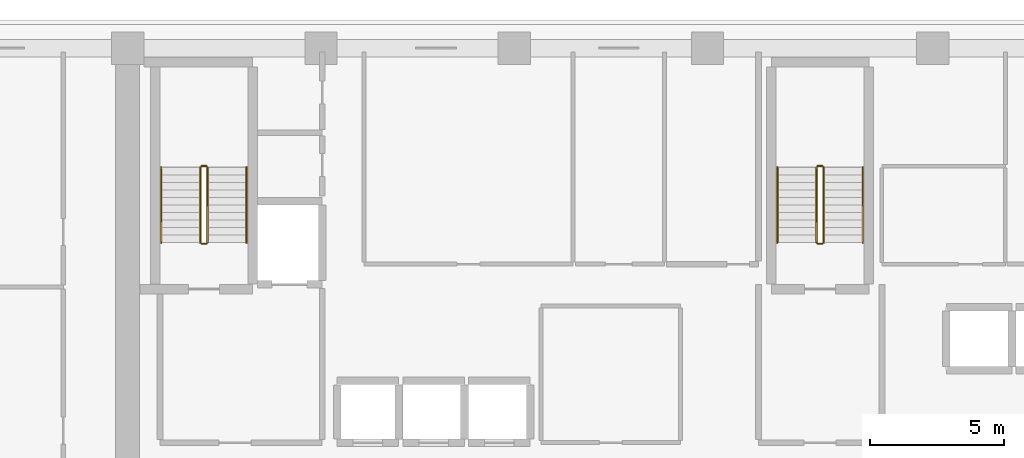
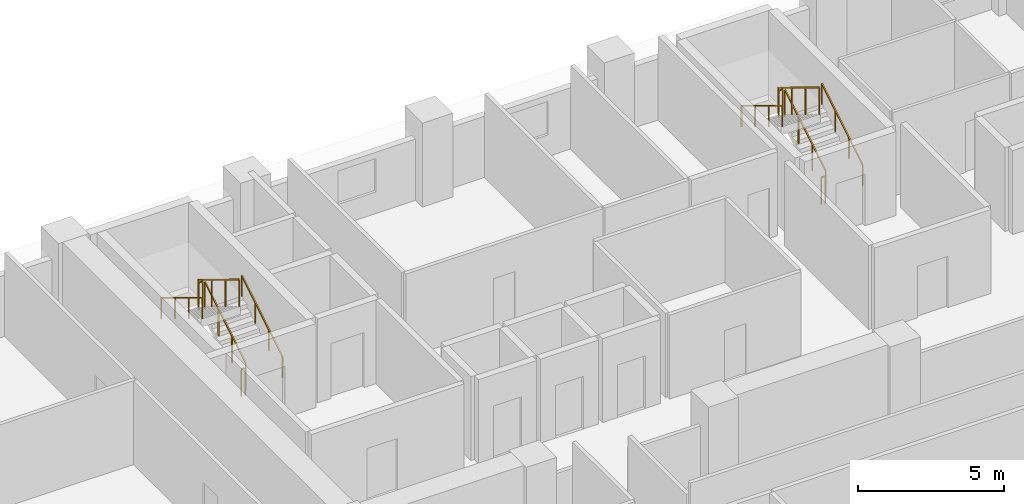
# One storey, part 13 of 15: 12 railings.
"""IFC4 building model written with IfcOpenShell, lengths in metres."""

import ifcopenshell
import ifcopenshell.guid

model = None  # the IFC model being written
_history = None  # IfcOwnerHistory: only IFC2X3 demands one
_inside = {}  # id of a spatial element -> (the spatial element, [elements in it])
_under = {}  # id of a project, library or spatial element -> (it, [spatial elements below it])
_declared = {}  # id of a project -> (the project, [libraries it declares])
_typed = {}  # id of a type object -> (the type object, [elements of that type])
_made_of = {}  # id of a material, layer set ... -> (it, [elements and type objects made of it])


def new_model(schema):
    """Start an empty IFC model of exactly this schema.

    Asked for "IFC4X3", IfcOpenShell would pick the latest addendum, in which some entities
    have other attributes; the version numbers below select the first issue.
    IFC2X3 requires an IfcOwnerHistory on every rooted entity: one is made here for all.
    """
    global model, _history
    if schema == "IFC4X3":
        model = ifcopenshell.file(schema_version=(4, 3, 0, 0))
    else:
        model = ifcopenshell.file(schema=schema)
    _inside.clear()
    _under.clear()
    _declared.clear()
    _typed.clear()
    _made_of.clear()
    _history = None
    if model.schema == "IFC2X3":
        org = make("IfcOrganization", Name="unknown")
        user = make(
            "IfcPersonAndOrganization",
            ThePerson=make("IfcPerson", FamilyName="unknown"),
            TheOrganization=org,
        )
        app = make(
            "IfcApplication",
            ApplicationDeveloper=org,
            Version="unknown",
            ApplicationFullName="unknown",
            ApplicationIdentifier="unknown",
        )
        _history = make(
            "IfcOwnerHistory",
            OwningUser=user,
            OwningApplication=app,
            ChangeAction="ADDED",
            CreationDate=0,
        )
    return model


def make(cls, **values):
    """One entity of the class cls with the attributes given. An attribute that is None is left unset."""
    return model.create_entity(
        cls, **{name: value for name, value in values.items() if value is not None}
    )


def rooted(cls, **values):
    """An entity with a GlobalId (a new one), such as an element, a storey or a relation."""
    return make(cls, GlobalId=ifcopenshell.guid.new(), OwnerHistory=_history, **values)


def si_unit(unit_type, name, prefix=None):
    """IfcSIUnit, for example si_unit("LENGTHUNIT", "METRE", prefix="MILLI")."""
    return make("IfcSIUnit", UnitType=unit_type, Prefix=prefix, Name=name)


def assignment(units):
    """IfcUnitAssignment: the units of a project."""
    return None if units is None else make("IfcUnitAssignment", Units=units)


def point(xyz):
    """IfcCartesianPoint."""
    return None if xyz is None else make("IfcCartesianPoint", Coordinates=xyz)


def direction(xyz):
    """IfcDirection."""
    return None if xyz is None else make("IfcDirection", DirectionRatios=xyz)


def frame(location, z_axis=None, x_axis=None):
    """IfcAxis2Placement3D, a coordinate frame: its origin and axes. An axis left out is left unset."""
    return make(
        "IfcAxis2Placement3D",
        Location=point(location),
        Axis=direction(z_axis),
        RefDirection=direction(x_axis),
    )


def frame_2d(location, x_axis=None):
    """IfcAxis2Placement2D, a coordinate frame in the plane: its origin and x axis."""
    return make(
        "IfcAxis2Placement2D", Location=point(location), RefDirection=direction(x_axis)
    )


def origin():
    """The frame at (0, 0, 0) with its axes left unset."""
    return frame((0.0, 0.0, 0.0))


def origin_2d():
    """The frame at (0, 0) in the plane with its x axis left unset."""
    return frame_2d((0.0, 0.0))


def place(relative_to, where):
    """IfcLocalPlacement: puts the frame where relative to a parent placement (None: the world)."""
    return make(
        "IfcLocalPlacement", PlacementRelTo=relative_to, RelativePlacement=where
    )


def context(
    kind, dimensions, precision=None, world=None, true_north=None, identifier=None
):
    """IfcGeometricRepresentationContext, for example the 3D "Model" context."""
    return make(
        "IfcGeometricRepresentationContext",
        ContextIdentifier=identifier,
        ContextType=kind,
        CoordinateSpaceDimension=dimensions,
        Precision=precision,
        WorldCoordinateSystem=world,
        TrueNorth=true_north,
    )


def subcontext(parent, identifier, kind, view, scale=None):
    """IfcGeometricRepresentationSubContext, for example "Body" below "Model"."""
    return make(
        "IfcGeometricRepresentationSubContext",
        ContextIdentifier=identifier,
        ContextType=kind,
        ParentContext=parent,
        TargetScale=scale,
        TargetView=view,
    )


def project(units=None, contexts=None):
    """IfcProject with its units and contexts."""
    return rooted(
        "IfcProject",
        Name="project",
        RepresentationContexts=contexts,
        UnitsInContext=assignment(units),
    )


def spatial(cls, under=None, at=None, **own):
    """A site, building, storey or space (cls), placed at a placement, below another one or the project."""
    s = rooted(cls, ObjectPlacement=at, **own)
    if under is not None:
        _under.setdefault(under.id(), (under, []))[1].append(s)
    return s


def profile(cls, at=None, kind="AREA", **sizes):
    """A parametric profile (cls). Its sizes go by their IFC names, for example OverallWidth=200.0."""
    return make(cls, ProfileType=kind, Position=at, **sizes)


def rectangle(**sizes):
    """IfcRectangleProfileDef."""
    return profile("IfcRectangleProfileDef", **sizes)


def extrude(swept, where, along, depth):
    """IfcExtrudedAreaSolid: the profile swept, set in the frame where, extruded along a direction by depth."""
    return make(
        "IfcExtrudedAreaSolid",
        SweptArea=swept,
        Position=where,
        ExtrudedDirection=direction(along),
        Depth=depth,
    )


def shape(context_of_items, identifier, shape_type, items):
    """IfcShapeRepresentation: the items that make up one representation, for example the "Body"."""
    return make(
        "IfcShapeRepresentation",
        ContextOfItems=context_of_items,
        RepresentationIdentifier=identifier,
        RepresentationType=shape_type,
        Items=items,
    )


def material(Name=None, Category=None):
    """IfcMaterial."""
    return make("IfcMaterial", Name=Name, Category=Category)


def made_of(thing, what):
    """Note that an element or type object is made of a material, layer set ...; save() writes the relation."""
    if what is not None:
        _made_of.setdefault(what.id(), (what, []))[1].append(thing)
    return thing


def type_object(cls, material=None, **own):
    """A type object (cls), such as IfcWallType, which elements share."""
    return made_of(rooted(cls, **own), material)


def element(
    cls,
    number,
    at=None,
    inside=None,
    cuts=None,
    type_object=None,
    material=None,
    context=None,
    identifier="Body",
    shape_type=None,
    held_by="IfcProductDefinitionShape",
    body=None,
    shapes=None,
    **own,
):
    """One element of the class cls, such as IfcWall. Its Tag is "e" and its number.

    at: its placement. inside: the storey or other place that contains it. cuts: it is an
    opening in that element (IfcRelVoidsElement). A single representation is given by context,
    identifier, shape_type and body (its items); several are given by shapes. held_by: the class
    of the entity that holds the representations. save() writes the other relations.
    """
    e = rooted(cls, Tag="e%d" % number, ObjectPlacement=at, **own)
    if body is not None:
        shapes = [shape(context, identifier, shape_type, body)]
    if shapes is not None:
        e.Representation = make(held_by, Representations=shapes)
    if inside is not None:
        _inside.setdefault(inside.id(), (inside, []))[1].append(e)
    if cuts is not None:
        rooted(
            "IfcRelVoidsElement", RelatingBuildingElement=cuts, RelatedOpeningElement=e
        )
    if type_object is not None:
        _typed.setdefault(type_object.id(), (type_object, []))[1].append(e)
    return made_of(e, material)


def aggregate(whole, parts):
    """IfcRelAggregates: a whole, such as a stair, and the parts it consists of."""
    return rooted("IfcRelAggregates", RelatingObject=whole, RelatedObjects=parts)


def save(model, path):
    """Write the relations noted so far, then the file.

    IfcRelAggregates (storeys below a building ...), IfcRelContainedInSpatialStructure (elements
    in a storey), IfcRelDefinesByType, IfcRelAssociatesMaterial and IfcRelDeclares: one each for
    every whole, place, type object, material and project.
    """
    for whole, parts in _under.values():
        aggregate(whole, parts)
    for where, things in _inside.values():
        rooted(
            "IfcRelContainedInSpatialStructure",
            RelatedElements=things,
            RelatingStructure=where,
        )
    for kind, things in _typed.values():
        rooted("IfcRelDefinesByType", RelatedObjects=things, RelatingType=kind)
    for what, things in _made_of.values():
        rooted("IfcRelAssociatesMaterial", RelatedObjects=things, RelatingMaterial=what)
    for by, libraries in _declared.values():
        rooted("IfcRelDeclares", RelatingContext=by, RelatedDefinitions=libraries)
    model.write(path)


model = new_model("IFC4")

# Units and contexts
model_context = context("Model", 3, precision=1e-05, world=origin(), true_north=direction((0.0, 1.0)))
body_context = subcontext(model_context, "Body", "Model", "MODEL_VIEW")
ifc_project = project(units=[si_unit("LENGTHUNIT", "METRE"), si_unit("AREAUNIT", "SQUARE_METRE"), si_unit("VOLUMEUNIT", "CUBIC_METRE"), si_unit("PLANEANGLEUNIT", "RADIAN"), si_unit("MASSUNIT", "GRAM", prefix="KILO")], contexts=[model_context])

# Site, building, storey
site_placement = place(None, origin())
site = spatial("IfcSite", under=ifc_project, at=site_placement, CompositionType="ELEMENT")
building_placement = place(site_placement, origin())
building = spatial("IfcBuilding", under=site, at=building_placement, Name="Kaelvorn Grand Hotel", CompositionType="ELEMENT")
storey_placement = place(building_placement, frame((0.0, 0.0, 115.550048828125)))
storey = spatial("IfcBuildingStorey", under=building, at=storey_placement, Name="L27", CompositionType="ELEMENT", Elevation=115.550048828125)

# Railings
ifc_material = material(Name="Stainless Steel", Category="steel")
railing_type_1 = type_object("IfcRailingType", Name="RL-HANDRAIL-900", PredefinedType="HANDRAIL", material=ifc_material)
railing_1_placement = place(storey_placement, frame((20.6298828125, 41.760009765625, 0.17041015625)))
element("IfcRailing", 1, at=railing_1_placement, inside=storey, type_object=railing_type_1, Name="L27 ST1 stair handrail 1", PredefinedType="HANDRAIL", context=body_context, shape_type="SweptSolid", body=[
    extrude(rectangle(XDim=0.048095703125, YDim=0.048095703125, at=origin_2d()), frame((0.0, 0.0, 0.8759765625), z_axis=(0.0, 0.854169791009, 0.51999420009), x_axis=(-1.0, 0.0, 0.0)), (0.0, 0.0, 1.0), 3.278076171875),
    extrude(rectangle(XDim=0.0419921875, YDim=0.0419921875, at=origin_2d()), origin(), (0.0, 0.0, 1.0), 0.851806640625),
    extrude(rectangle(XDim=0.0419921875, YDim=0.0419921875, at=origin_2d()), frame((0.0, 0.933349609375, 0.568115234375)), (0.0, 0.0, 1.0), 0.851806640625),
    extrude(rectangle(XDim=0.0419921875, YDim=0.0419921875, at=origin_2d()), frame((0.0, 1.86669921875, 1.136474609375)), (0.0, 0.0, 1.0), 0.851806640625),
    extrude(rectangle(XDim=0.0419921875, YDim=0.0419921875, at=origin_2d()), frame((0.0, 2.800048828125, 1.70458984375)), (0.0, 0.0, 1.0), 0.851806640625),
])
railing_2_placement = place(storey_placement, frame((17.449951171875, 44.56005859375, 2.04541015625)))
element("IfcRailing", 2, at=railing_2_placement, inside=storey, type_object=railing_type_1, Name="L27 ST1 stair handrail 2", PredefinedType="HANDRAIL", context=body_context, shape_type="SweptSolid", body=[
    extrude(rectangle(XDim=0.048095703125, YDim=0.048095703125, at=origin_2d()), frame((0.0, 0.0, 0.8759765625), z_axis=(0.0, -0.854169791009, 0.51999420009), x_axis=(1.0, 0.0, 0.0)), (0.0, 0.0, 1.0), 3.278076171875),
    extrude(rectangle(XDim=0.0419921875, YDim=0.0419921875, at=origin_2d()), origin(), (0.0, 0.0, 1.0), 0.851806640625),
    extrude(rectangle(XDim=0.0419921875, YDim=0.0419921875, at=origin_2d()), frame((0.0, -0.933349609375, 0.568115234375)), (0.0, 0.0, 1.0), 0.851806640625),
    extrude(rectangle(XDim=0.0419921875, YDim=0.0419921875, at=origin_2d()), frame((0.0, -1.86669921875, 1.136474609375)), (0.0, 0.0, 1.0), 0.851806640625),
    extrude(rectangle(XDim=0.0419921875, YDim=0.0419921875, at=origin_2d()), frame((0.0, -2.800048828125, 1.70458984375)), (0.0, 0.0, 1.0), 0.851806640625),
])
railing_3_placement = place(storey_placement, frame((43.590087890625, 41.760009765625, 0.17041015625)))
element("IfcRailing", 3, at=railing_3_placement, inside=storey, type_object=railing_type_1, Name="L27 ST2 stair handrail 1", PredefinedType="HANDRAIL", context=body_context, shape_type="SweptSolid", body=[
    extrude(rectangle(XDim=0.048095703125, YDim=0.048095703125, at=origin_2d()), frame((0.0, 0.0, 0.8759765625), z_axis=(0.0, 0.854169791009, 0.51999420009), x_axis=(-1.0, 0.0, 0.0)), (0.0, 0.0, 1.0), 3.278076171875),
    extrude(rectangle(XDim=0.0419921875, YDim=0.0419921875, at=origin_2d()), origin(), (0.0, 0.0, 1.0), 0.851806640625),
    extrude(rectangle(XDim=0.0419921875, YDim=0.0419921875, at=origin_2d()), frame((0.0, 0.933349609375, 0.568115234375)), (0.0, 0.0, 1.0), 0.851806640625),
    extrude(rectangle(XDim=0.0419921875, YDim=0.0419921875, at=origin_2d()), frame((0.0, 1.86669921875, 1.136474609375)), (0.0, 0.0, 1.0), 0.851806640625),
    extrude(rectangle(XDim=0.0419921875, YDim=0.0419921875, at=origin_2d()), frame((0.0, 2.800048828125, 1.70458984375)), (0.0, 0.0, 1.0), 0.851806640625),
])
railing_4_placement = place(storey_placement, frame((40.409912109375, 44.56005859375, 2.04541015625)))
element("IfcRailing", 4, at=railing_4_placement, inside=storey, type_object=railing_type_1, Name="L27 ST2 stair handrail 2", PredefinedType="HANDRAIL", context=body_context, shape_type="SweptSolid", body=[
    extrude(rectangle(XDim=0.048095703125, YDim=0.048095703125, at=origin_2d()), frame((0.0, 0.0, 0.8759765625), z_axis=(0.0, -0.854169791009, 0.51999420009), x_axis=(1.0, 0.0, 0.0)), (0.0, 0.0, 1.0), 3.278076171875),
    extrude(rectangle(XDim=0.0419921875, YDim=0.0419921875, at=origin_2d()), origin(), (0.0, 0.0, 1.0), 0.851806640625),
    extrude(rectangle(XDim=0.0419921875, YDim=0.0419921875, at=origin_2d()), frame((0.0, -0.933349609375, 0.568115234375)), (0.0, 0.0, 1.0), 0.851806640625),
    extrude(rectangle(XDim=0.0419921875, YDim=0.0419921875, at=origin_2d()), frame((0.0, -1.86669921875, 1.136474609375)), (0.0, 0.0, 1.0), 0.851806640625),
    extrude(rectangle(XDim=0.0419921875, YDim=0.0419921875, at=origin_2d()), frame((0.0, -2.800048828125, 1.70458984375)), (0.0, 0.0, 1.0), 0.851806640625),
])
railing_type_2 = type_object("IfcRailingType", Name="RL-STAIR-GUARD-1150", PredefinedType="BALUSTRADE", material=ifc_material)
railing_5_placement = place(storey_placement, frame((19.169921875, 41.760009765625, 0.17041015625)))
element("IfcRailing", 5, at=railing_5_placement, inside=storey, type_object=railing_type_2, Name="L27 ST1 stair guard 1", PredefinedType="BALUSTRADE", context=body_context, shape_type="SweptSolid", body=[
    extrude(rectangle(XDim=0.048095703125, YDim=0.048095703125, at=origin_2d()), frame((0.0, 0.0, 1.1259765625), z_axis=(0.0, 0.854169791009, 0.51999420009), x_axis=(-1.0, 0.0, 0.0)), (0.0, 0.0, 1.0), 3.278076171875),
    extrude(rectangle(XDim=0.0419921875, YDim=0.0419921875, at=origin_2d()), origin(), (0.0, 0.0, 1.0), 1.101806640625),
    extrude(rectangle(XDim=0.0419921875, YDim=0.0419921875, at=origin_2d()), frame((0.0, 0.933349609375, 0.568115234375)), (0.0, 0.0, 1.0), 1.101806640625),
    extrude(rectangle(XDim=0.0419921875, YDim=0.0419921875, at=origin_2d()), frame((0.0, 1.86669921875, 1.136474609375)), (0.0, 0.0, 1.0), 1.101806640625),
    extrude(rectangle(XDim=0.0419921875, YDim=0.0419921875, at=origin_2d()), frame((0.0, 2.800048828125, 1.70458984375)), (0.0, 0.0, 1.0), 1.101806640625),
])
railing_6_placement = place(storey_placement, frame((19.1201171875, 44.610107421875, 1.875)))
element("IfcRailing", 6, at=railing_6_placement, inside=storey, type_object=railing_type_2, Name="L27 ST1 stair guard 2", PredefinedType="BALUSTRADE", context=body_context, shape_type="SweptSolid", body=[
    extrude(rectangle(XDim=0.048095703125, YDim=0.048095703125, at=origin_2d()), frame((0.0, 0.0, 1.1259765625), z_axis=(-1.0, 0.0, 0.0), x_axis=(0.0, -1.0, 0.0)), (0.0, 0.0, 1.0), 0.16015625),
    extrude(rectangle(XDim=0.0419921875, YDim=0.0419921875, at=origin_2d()), origin(), (0.0, 0.0, 1.0), 1.101806640625),
    extrude(rectangle(XDim=0.0419921875, YDim=0.0419921875, at=origin_2d()), frame((-0.16015625, 0.0, 0.0)), (0.0, 0.0, 1.0), 1.101806640625),
])
railing_7_placement = place(storey_placement, frame((18.909912109375, 44.56005859375, 2.04541015625)))
element("IfcRailing", 7, at=railing_7_placement, inside=storey, type_object=railing_type_2, Name="L27 ST1 stair guard 3", PredefinedType="BALUSTRADE", context=body_context, shape_type="SweptSolid", body=[
    extrude(rectangle(XDim=0.048095703125, YDim=0.048095703125, at=origin_2d()), frame((0.0, 0.0, 1.1259765625), z_axis=(0.0, -0.854169791009, 0.51999420009), x_axis=(1.0, 0.0, 0.0)), (0.0, 0.0, 1.0), 3.278076171875),
    extrude(rectangle(XDim=0.0419921875, YDim=0.0419921875, at=origin_2d()), origin(), (0.0, 0.0, 1.0), 1.101806640625),
    extrude(rectangle(XDim=0.0419921875, YDim=0.0419921875, at=origin_2d()), frame((0.0, -0.933349609375, 0.568115234375)), (0.0, 0.0, 1.0), 1.101806640625),
    extrude(rectangle(XDim=0.0419921875, YDim=0.0419921875, at=origin_2d()), frame((0.0, -1.86669921875, 1.136474609375)), (0.0, 0.0, 1.0), 1.101806640625),
    extrude(rectangle(XDim=0.0419921875, YDim=0.0419921875, at=origin_2d()), frame((0.0, -2.800048828125, 1.70458984375)), (0.0, 0.0, 1.0), 1.101806640625),
])
railing_8_placement = place(storey_placement, frame((19.1201171875, 41.7099609375, 0.0)))
element("IfcRailing", 8, at=railing_8_placement, inside=storey, type_object=railing_type_2, Name="L27 ST1 stair guard 4", PredefinedType="BALUSTRADE", context=body_context, shape_type="SweptSolid", body=[
    extrude(rectangle(XDim=0.048095703125, YDim=0.048095703125, at=origin_2d()), frame((0.0, 0.0, 1.1259765625), z_axis=(-1.0, 0.0, 0.0), x_axis=(0.0, -1.0, 0.0)), (0.0, 0.0, 1.0), 0.16015625),
    extrude(rectangle(XDim=0.0419921875, YDim=0.0419921875, at=origin_2d()), origin(), (0.0, 0.0, 1.0), 1.101806640625),
    extrude(rectangle(XDim=0.0419921875, YDim=0.0419921875, at=origin_2d()), frame((-0.16015625, 0.0, 0.0)), (0.0, 0.0, 1.0), 1.101806640625),
])
railing_9_placement = place(storey_placement, frame((42.1298828125, 41.760009765625, 0.17041015625)))
element("IfcRailing", 9, at=railing_9_placement, inside=storey, type_object=railing_type_2, Name="L27 ST2 stair guard 1", PredefinedType="BALUSTRADE", context=body_context, shape_type="SweptSolid", body=[
    extrude(rectangle(XDim=0.048095703125, YDim=0.048095703125, at=origin_2d()), frame((0.0, 0.0, 1.1259765625), z_axis=(0.0, 0.854169791009, 0.51999420009), x_axis=(-1.0, 0.0, 0.0)), (0.0, 0.0, 1.0), 3.278076171875),
    extrude(rectangle(XDim=0.0419921875, YDim=0.0419921875, at=origin_2d()), origin(), (0.0, 0.0, 1.0), 1.101806640625),
    extrude(rectangle(XDim=0.0419921875, YDim=0.0419921875, at=origin_2d()), frame((0.0, 0.933349609375, 0.568115234375)), (0.0, 0.0, 1.0), 1.101806640625),
    extrude(rectangle(XDim=0.0419921875, YDim=0.0419921875, at=origin_2d()), frame((0.0, 1.86669921875, 1.136474609375)), (0.0, 0.0, 1.0), 1.101806640625),
    extrude(rectangle(XDim=0.0419921875, YDim=0.0419921875, at=origin_2d()), frame((0.0, 2.800048828125, 1.70458984375)), (0.0, 0.0, 1.0), 1.101806640625),
])
railing_10_placement = place(storey_placement, frame((42.080078125, 44.610107421875, 1.875)))
element("IfcRailing", 10, at=railing_10_placement, inside=storey, type_object=railing_type_2, Name="L27 ST2 stair guard 2", PredefinedType="BALUSTRADE", context=body_context, shape_type="SweptSolid", body=[
    extrude(rectangle(XDim=0.048095703125, YDim=0.048095703125, at=origin_2d()), frame((0.0, 0.0, 1.1259765625), z_axis=(-1.0, 0.0, 0.0), x_axis=(0.0, -1.0, 0.0)), (0.0, 0.0, 1.0), 0.16015625),
    extrude(rectangle(XDim=0.0419921875, YDim=0.0419921875, at=origin_2d()), origin(), (0.0, 0.0, 1.0), 1.101806640625),
    extrude(rectangle(XDim=0.0419921875, YDim=0.0419921875, at=origin_2d()), frame((-0.16015625, 0.0, 0.0)), (0.0, 0.0, 1.0), 1.101806640625),
])
railing_11_placement = place(storey_placement, frame((41.8701171875, 44.56005859375, 2.04541015625)))
element("IfcRailing", 11, at=railing_11_placement, inside=storey, type_object=railing_type_2, Name="L27 ST2 stair guard 3", PredefinedType="BALUSTRADE", context=body_context, shape_type="SweptSolid", body=[
    extrude(rectangle(XDim=0.048095703125, YDim=0.048095703125, at=origin_2d()), frame((0.0, 0.0, 1.1259765625), z_axis=(0.0, -0.854169791009, 0.51999420009), x_axis=(1.0, 0.0, 0.0)), (0.0, 0.0, 1.0), 3.278076171875),
    extrude(rectangle(XDim=0.0419921875, YDim=0.0419921875, at=origin_2d()), origin(), (0.0, 0.0, 1.0), 1.101806640625),
    extrude(rectangle(XDim=0.0419921875, YDim=0.0419921875, at=origin_2d()), frame((0.0, -0.933349609375, 0.568115234375)), (0.0, 0.0, 1.0), 1.101806640625),
    extrude(rectangle(XDim=0.0419921875, YDim=0.0419921875, at=origin_2d()), frame((0.0, -1.86669921875, 1.136474609375)), (0.0, 0.0, 1.0), 1.101806640625),
    extrude(rectangle(XDim=0.0419921875, YDim=0.0419921875, at=origin_2d()), frame((0.0, -2.800048828125, 1.70458984375)), (0.0, 0.0, 1.0), 1.101806640625),
])
railing_12_placement = place(storey_placement, frame((42.080078125, 41.7099609375, 0.0)))
element("IfcRailing", 12, at=railing_12_placement, inside=storey, type_object=railing_type_2, Name="L27 ST2 stair guard 4", PredefinedType="BALUSTRADE", context=body_context, shape_type="SweptSolid", body=[
    extrude(rectangle(XDim=0.048095703125, YDim=0.048095703125, at=origin_2d()), frame((0.0, 0.0, 1.1259765625), z_axis=(-1.0, 0.0, 0.0), x_axis=(0.0, -1.0, 0.0)), (0.0, 0.0, 1.0), 0.16015625),
    extrude(rectangle(XDim=0.0419921875, YDim=0.0419921875, at=origin_2d()), origin(), (0.0, 0.0, 1.0), 1.101806640625),
    extrude(rectangle(XDim=0.0419921875, YDim=0.0419921875, at=origin_2d()), frame((-0.16015625, 0.0, 0.0)), (0.0, 0.0, 1.0), 1.101806640625),
])

save(model, "model.ifc")
